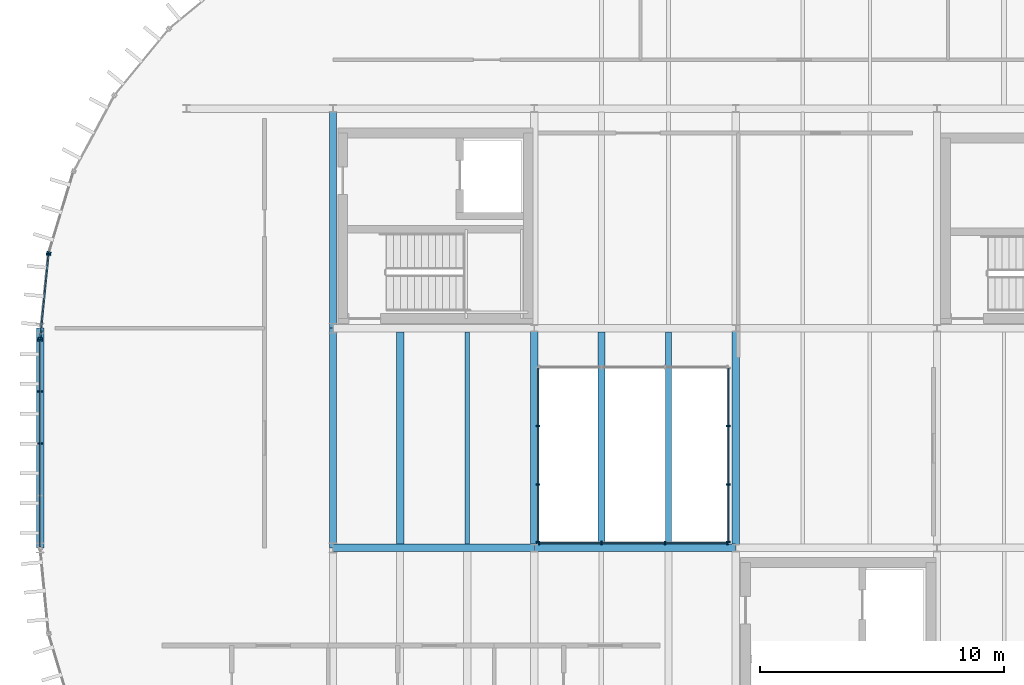
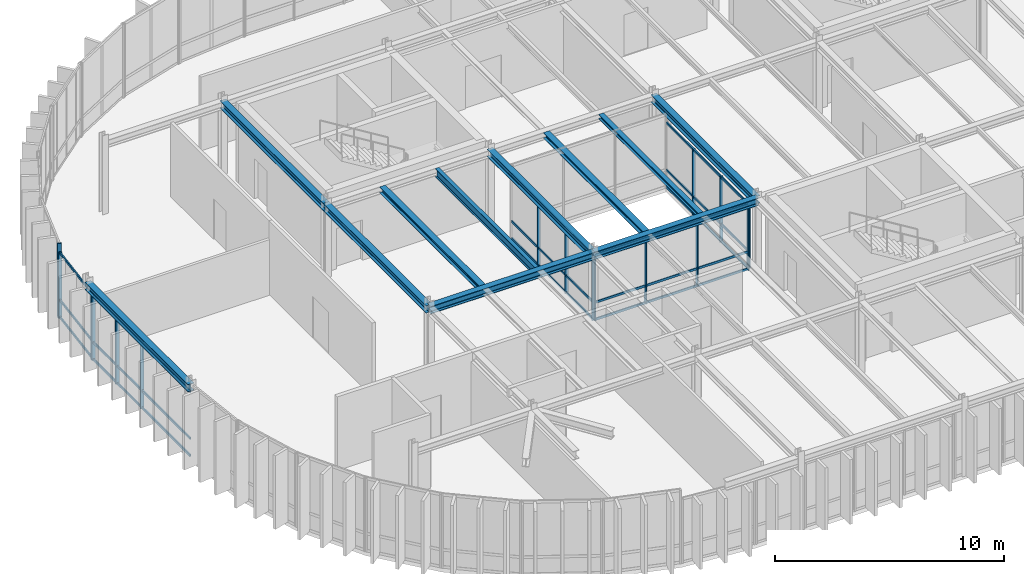
# One storey, part 7 of 27: 31 members, 11 beams, 6 elements without a shape of their own.
"""IFC4 building model written with IfcOpenShell, lengths in metres."""

from ifc_helpers import new_model, si_unit, direction, frame, origin, origin_2d, place, context, subcontext, project, spatial, rectangle, i_section, extrude, material, layer, layer_set, material_profile, profile_set, type_object, element, aggregate, save


model = new_model("IFC4")

# Units and contexts
model_context = context("Model", 3, precision=1e-05, world=origin(), true_north=direction((0.0, 1.0)))
body_context = subcontext(model_context, "Body", "Model", "MODEL_VIEW")
ifc_project = project(units=[si_unit("LENGTHUNIT", "METRE"), si_unit("AREAUNIT", "SQUARE_METRE"), si_unit("VOLUMEUNIT", "CUBIC_METRE"), si_unit("PLANEANGLEUNIT", "RADIAN"), si_unit("MASSUNIT", "GRAM", prefix="KILO")], contexts=[model_context])

# Site, building, storey
site_placement = place(None, origin())
site = spatial("IfcSite", under=ifc_project, at=site_placement, CompositionType="ELEMENT")
building_placement = place(site_placement, origin())
building = spatial("IfcBuilding", under=site, at=building_placement, Name="Montealbar Specialist Clinic", CompositionType="ELEMENT")
storey_placement = place(building_placement, frame((0.0, 0.0, 18.0)))
storey = spatial("IfcBuildingStorey", under=building, at=storey_placement, Name="L04", CompositionType="ELEMENT", Elevation=18.0)

# Beams
ifc_material_1 = material(Name="Steel S355", Category="steel")
ifc_material_profile_1 = material_profile(ifc_material_1, i_section(OverallWidth=0.300048828125, OverallDepth=0.39990234375, WebThickness=0.013427734375, FlangeThickness=0.02392578125, FilletRadius=0.027099609375, at=origin_2d()), Name="HEB 400", Category="steel")
ifc_profile_set_1 = profile_set([ifc_material_profile_1], Name="Steel S355")
beam_type_1 = type_object("IfcBeamType", Name="BM-GIRD-HEB400", PredefinedType="BEAM", material=ifc_profile_set_1)
beam_1_placement = place(storey_placement, frame((66.0, 18.0, 3.68994140625), z_axis=(1.0, 0.0, 0.0), x_axis=(0.0, 1.0, 0.0)))
element("IfcBeam", 1, at=beam_1_placement, inside=storey, type_object=beam_type_1, Name="Beam GX-L04-660-742-180", PredefinedType="BEAM", context=body_context, shape_type="SweptSolid", body=[
    extrude(i_section(OverallWidth=0.300048828125, OverallDepth=0.39990234375, WebThickness=0.013427734375, FlangeThickness=0.02392578125, FilletRadius=0.027099609375, at=origin_2d()), origin(), (0.0, 0.0, 1.0), 8.25),
])
for number, where, z_axis, x_axis, name in (
    (2, (54.0, 18.0, 3.68994140625), (0.0, 1.0, 0.0), (-1.0, 0.0, 0.0), "Beam GY-L04-540-180-270"),
    (3, (66.0, 18.0, 3.68994140625), (0.0, 1.0, 0.0), (-1.0, 0.0, 0.0), "Beam GY-L04-660-180-270"),
    (4, (66.0, 27.0, 3.68994140625), (0.0, 1.0, 0.0), (-1.0, 0.0, 0.0), "Beam GY-L04-660-270-360"),
):
    element("IfcBeam", number, at=place(storey_placement, frame(where, z_axis=z_axis, x_axis=x_axis)), inside=storey, type_object=beam_type_1, Name=name, PredefinedType="BEAM", context=body_context, shape_type="SweptSolid", body=[
        extrude(i_section(OverallWidth=0.300048828125, OverallDepth=0.39990234375, WebThickness=0.013427734375, FlangeThickness=0.02392578125, FilletRadius=0.027099609375, at=origin_2d()), origin(), (0.0, 0.0, 1.0), 9.0),
    ])
ifc_material_profile_2 = material_profile(ifc_material_1, i_section(OverallWidth=0.300048828125, OverallDepth=0.39990234375, WebThickness=0.013427734375, FlangeThickness=0.02392578125, FilletRadius=0.027099609375, at=origin_2d()), Name="HEB 400", Category="steel")
ifc_profile_set_2 = profile_set([ifc_material_profile_2], Name="Steel S355")
beam_type_2 = type_object("IfcBeamType", Name="BM-GIRD-HEB400-EXT", PredefinedType="BEAM", material=ifc_profile_set_2)
beam_2_placement = place(storey_placement, frame((74.25, 18.0, 3.68994140625), z_axis=(1.0, 0.0, 0.0), x_axis=(0.0, 1.0, 0.0)))
element("IfcBeam", 5, at=beam_2_placement, inside=storey, type_object=beam_type_2, Name="Beam GX-L04-742-825-180", PredefinedType="BEAM", context=body_context, shape_type="SweptSolid", body=[
    extrude(i_section(OverallWidth=0.300048828125, OverallDepth=0.39990234375, WebThickness=0.013427734375, FlangeThickness=0.02392578125, FilletRadius=0.027099609375, at=origin_2d()), origin(), (0.0, 0.0, 1.0), 8.25),
])
for number, where, z_axis, x_axis, name in (
    (6, (74.25, 18.0, 3.68994140625), (0.0, 1.0, 0.0), (-1.0, 0.0, 0.0), "Beam GY-L04-742-180-270"),
    (7, (82.5, 18.0, 3.68994140625), (0.0, 1.0, 0.0), (-1.0, 0.0, 0.0), "Beam GY-L04-825-180-270"),
):
    element("IfcBeam", number, at=place(storey_placement, frame(where, z_axis=z_axis, x_axis=x_axis)), inside=storey, type_object=beam_type_2, Name=name, PredefinedType="BEAM", context=body_context, shape_type="SweptSolid", body=[
        extrude(i_section(OverallWidth=0.300048828125, OverallDepth=0.39990234375, WebThickness=0.013427734375, FlangeThickness=0.02392578125, FilletRadius=0.027099609375, at=origin_2d()), origin(), (0.0, 0.0, 1.0), 9.0),
    ])
ifc_material_profile_3 = material_profile(ifc_material_1, i_section(OverallWidth=0.300048828125, OverallDepth=0.320068359375, WebThickness=0.011474609375, FlangeThickness=0.0205078125, FilletRadius=0.027099609375, at=origin_2d()), Name="HEB 320", Category="steel")
ifc_profile_set_3 = profile_set([ifc_material_profile_3], Name="Steel S355")
beam_type_3 = type_object("IfcBeamType", Name="BM-JST-HEB320", PredefinedType="JOIST", material=ifc_profile_set_3)
beam_3_placement = place(storey_placement, frame((68.75, 18.14990234375, 3.72998046875), z_axis=(0.0, 1.0, 0.0), x_axis=(-1.0, 0.0, 0.0)))
element("IfcBeam", 8, at=beam_3_placement, inside=storey, type_object=beam_type_3, Name="Beam JST-L04-688-182-268", PredefinedType="JOIST", context=body_context, shape_type="SweptSolid", body=[
    extrude(i_section(OverallWidth=0.300048828125, OverallDepth=0.320068359375, WebThickness=0.011474609375, FlangeThickness=0.0205078125, FilletRadius=0.027099609375, at=origin_2d()), origin(), (0.0, 0.0, 1.0), 8.7001953125),
])
ifc_material_profile_4 = material_profile(ifc_material_1, i_section(OverallWidth=0.18994140625, OverallDepth=0.449951171875, WebThickness=0.009521484375, FlangeThickness=0.0146484375, FilletRadius=0.02099609375, at=origin_2d()), Name="IPE 450", Category="steel")
ifc_profile_set_4 = profile_set([ifc_material_profile_4], Name="Steel S355")
beam_type_4 = type_object("IfcBeamType", Name="BM-SEC-IPE450", PredefinedType="BEAM", material=ifc_profile_set_4)
beam_4_placement = place(storey_placement, frame((71.5, 18.14990234375, 3.6650390625), z_axis=(0.0, 1.0, 0.0), x_axis=(-1.0, 0.0, 0.0)))
element("IfcBeam", 9, at=beam_4_placement, inside=storey, type_object=beam_type_4, Name="Beam JST-L04-715-182-268", PredefinedType="BEAM", context=body_context, shape_type="SweptSolid", body=[
    extrude(i_section(OverallWidth=0.18994140625, OverallDepth=0.449951171875, WebThickness=0.009521484375, FlangeThickness=0.0146484375, FilletRadius=0.02099609375, at=origin_2d()), origin(), (0.0, 0.0, 1.0), 8.7001953125),
])
ifc_material_profile_5 = material_profile(ifc_material_1, i_section(OverallWidth=0.239990234375, OverallDepth=0.22998046875, WebThickness=0.007568359375, FlangeThickness=0.011962890625, FilletRadius=0.02099609375, at=origin_2d()), Name="HEA 240", Category="steel")
ifc_profile_set_5 = profile_set([ifc_material_profile_5], Name="Steel S355")
beam_type_5 = type_object("IfcBeamType", Name="BM-SPAND-HEA240", PredefinedType="SPANDREL", material=ifc_profile_set_5)
beam_5_placement = place(storey_placement, frame((79.75, 18.14990234375, 3.77490234375), z_axis=(0.0, 1.0, 0.0), x_axis=(-1.0, 0.0, 0.0)))
element("IfcBeam", 10, at=beam_5_placement, inside=storey, type_object=beam_type_5, Name="Beam JST-L04-798-182-268", PredefinedType="SPANDREL", context=body_context, shape_type="SweptSolid", body=[
    extrude(i_section(OverallWidth=0.239990234375, OverallDepth=0.22998046875, WebThickness=0.007568359375, FlangeThickness=0.011962890625, FilletRadius=0.02099609375, at=origin_2d()), origin(), (0.0, 0.0, 1.0), 8.7001953125),
])
ifc_material_profile_6 = material_profile(ifc_material_1, i_section(OverallWidth=0.300048828125, OverallDepth=0.2900390625, WebThickness=0.008544921875, FlangeThickness=0.013916015625, FilletRadius=0.027099609375, at=origin_2d()), Name="HEA 300", Category="steel")
ifc_profile_set_6 = profile_set([ifc_material_profile_6], Name="Steel S355")
beam_type_6 = type_object("IfcBeamType", Name="BM-SPAND-HEA300", PredefinedType="SPANDREL", material=ifc_profile_set_6)
beam_6_placement = place(storey_placement, frame((77.0, 18.14990234375, 3.7451171875), z_axis=(0.0, 1.0, 0.0), x_axis=(-1.0, 0.0, 0.0)))
element("IfcBeam", 11, at=beam_6_placement, inside=storey, type_object=beam_type_6, Name="Beam JST-L04-770-182-268", PredefinedType="SPANDREL", context=body_context, shape_type="SweptSolid", body=[
    extrude(i_section(OverallWidth=0.300048828125, OverallDepth=0.2900390625, WebThickness=0.008544921875, FlangeThickness=0.013916015625, FilletRadius=0.027099609375, at=origin_2d()), origin(), (0.0, 0.0, 1.0), 8.7001953125),
])

# Curtain wall, members
ifc_material_2 = material(Name="Low-E double glazing", Category="glass")
ifc_layer_1 = layer(ifc_material_2, 0.199951171875, Name="Low-E double glazing", Category="glass")
ifc_layer_set_1 = layer_set([ifc_layer_1], Name="Low-E double glazing")
curtain_wall_type_1 = type_object("IfcCurtainWallType", Name="CW-TYPE-34", PredefinedType="NOTDEFINED", material=ifc_layer_set_1)
curtain_wall_1_placement = place(storey_placement, origin())
curtain_wall_1 = element("IfcCurtainWall", 12, at=curtain_wall_1_placement, inside=storey, type_object=curtain_wall_type_1, Name="Unitised Curtain Wall CW-L04-744-182-822-182-180", PredefinedType="NOTDEFINED")
ifc_material_3 = material(Name="Anodised aluminium EN AW-6063", Category="aluminium")
ifc_material_profile_7 = material_profile(ifc_material_3, rectangle(XDim=0.06005859375, YDim=0.159912109375, at=origin_2d()), Name="ALU 60x160", Category="aluminium")
ifc_profile_set_7 = profile_set([ifc_material_profile_7], Name="Anodised aluminium EN AW-6063")
member_type_1 = type_object("IfcMemberType", Name="CW-MUL-160", PredefinedType="MULLION", material=ifc_profile_set_7)
member_1_placement = place(storey_placement, frame((74.43505859375, 18.199951171875, 0.0), z_axis=(0.0, 0.0, 1.0), x_axis=(1.0, 0.0, 0.0)))
member_1 = element("IfcMember", 13, at=member_1_placement, type_object=member_type_1, Name="Curtain Wall Mullion CW-L04-744-182-822-182-180-00", PredefinedType="MULLION", context=body_context, shape_type="SweptSolid", body=[
    extrude(rectangle(XDim=0.06005859375, YDim=0.159912109375, at=origin_2d()), origin(), (0.0, 0.0, 1.0), 3.489990234375),
])
member_2_placement = place(storey_placement, frame((77.0, 18.199951171875, 0.0), z_axis=(0.0, 0.0, 1.0), x_axis=(1.0, 0.0, 0.0)))
member_2 = element("IfcMember", 14, at=member_2_placement, type_object=member_type_1, Name="Curtain Wall Mullion CW-L04-744-182-822-182-180-01", PredefinedType="MULLION", context=body_context, shape_type="SweptSolid", body=[
    extrude(rectangle(XDim=0.06005859375, YDim=0.159912109375, at=origin_2d()), origin(), (0.0, 0.0, 1.0), 3.489990234375),
])
member_3_placement = place(storey_placement, frame((79.60009765625, 18.199951171875, 0.0), z_axis=(0.0, 0.0, 1.0), x_axis=(1.0, 0.0, 0.0)))
member_3 = element("IfcMember", 15, at=member_3_placement, type_object=member_type_1, Name="Curtain Wall Mullion CW-L04-744-182-822-182-180-02", PredefinedType="MULLION", context=body_context, shape_type="SweptSolid", body=[
    extrude(rectangle(XDim=0.06005859375, YDim=0.159912109375, at=origin_2d()), origin(), (0.0, 0.0, 1.0), 3.489990234375),
])
member_4_placement = place(storey_placement, frame((82.1650390625, 18.199951171875, 0.0), z_axis=(0.0, 0.0, 1.0), x_axis=(1.0, 0.0, 0.0)))
member_4 = element("IfcMember", 16, at=member_4_placement, type_object=member_type_1, Name="Curtain Wall Mullion CW-L04-744-182-822-182-180-03", PredefinedType="MULLION", context=body_context, shape_type="SweptSolid", body=[
    extrude(rectangle(XDim=0.06005859375, YDim=0.159912109375, at=origin_2d()), origin(), (0.0, 0.0, 1.0), 3.489990234375),
])

ifc_layer_2 = layer(ifc_material_2, 0.199951171875, Name="Low-E double glazing", Category="glass")
ifc_layer_set_2 = layer_set([ifc_layer_2], Name="Low-E double glazing")
curtain_wall_type_2 = type_object("IfcCurtainWallType", Name="CW-TYPE-35", PredefinedType="NOTDEFINED", material=ifc_layer_set_2)
curtain_wall_2_placement = place(storey_placement, origin())
curtain_wall_2 = element("IfcCurtainWall", 17, at=curtain_wall_2_placement, inside=storey, type_object=curtain_wall_type_2, Name="Unitised Curtain Wall CW-L04-822-182-822-254-180", PredefinedType="NOTDEFINED")
member_5_placement = place(storey_placement, frame((82.199951171875, 18.235107421875, 0.0), z_axis=(0.0, 0.0, 1.0), x_axis=(0.0, 1.0, 0.0)))
member_5 = element("IfcMember", 18, at=member_5_placement, type_object=member_type_1, Name="Curtain Wall Mullion CW-L04-822-182-822-254-180-00", PredefinedType="MULLION", context=body_context, shape_type="SweptSolid", body=[
    extrude(rectangle(XDim=0.06005859375, YDim=0.159912109375, at=origin_2d()), origin(), (0.0, 0.0, 1.0), 3.489990234375),
])
member_6_placement = place(storey_placement, frame((82.199951171875, 20.60009765625, 0.0), z_axis=(0.0, 0.0, 1.0), x_axis=(0.0, 1.0, 0.0)))
member_6 = element("IfcMember", 19, at=member_6_placement, type_object=member_type_1, Name="Curtain Wall Mullion CW-L04-822-182-822-254-180-01", PredefinedType="MULLION", context=body_context, shape_type="SweptSolid", body=[
    extrude(rectangle(XDim=0.06005859375, YDim=0.159912109375, at=origin_2d()), origin(), (0.0, 0.0, 1.0), 3.489990234375),
])
member_7_placement = place(storey_placement, frame((82.199951171875, 23.0, 0.0), z_axis=(0.0, 0.0, 1.0), x_axis=(0.0, 1.0, 0.0)))
member_7 = element("IfcMember", 20, at=member_7_placement, type_object=member_type_1, Name="Curtain Wall Mullion CW-L04-822-182-822-254-180-02", PredefinedType="MULLION", context=body_context, shape_type="SweptSolid", body=[
    extrude(rectangle(XDim=0.06005859375, YDim=0.159912109375, at=origin_2d()), origin(), (0.0, 0.0, 1.0), 3.489990234375),
])

curtain_wall_3_placement = place(storey_placement, origin())
curtain_wall_3 = element("IfcCurtainWall", 21, at=curtain_wall_3_placement, inside=storey, type_object=curtain_wall_type_2, Name="Unitised Curtain Wall CW-L04-744-254-744-182-180", PredefinedType="NOTDEFINED")
member_8_placement = place(storey_placement, frame((74.39990234375, 23.0, 0.0), z_axis=(0.0, 0.0, 1.0), x_axis=(0.0, -1.0, 0.0)))
member_8 = element("IfcMember", 22, at=member_8_placement, type_object=member_type_1, Name="Curtain Wall Mullion CW-L04-744-254-744-182-180-01", PredefinedType="MULLION", context=body_context, shape_type="SweptSolid", body=[
    extrude(rectangle(XDim=0.06005859375, YDim=0.159912109375, at=origin_2d()), origin(), (0.0, 0.0, 1.0), 3.489990234375),
])
member_9_placement = place(storey_placement, frame((74.39990234375, 20.60009765625, 0.0), z_axis=(0.0, 0.0, 1.0), x_axis=(0.0, -1.0, 0.0)))
member_9 = element("IfcMember", 23, at=member_9_placement, type_object=member_type_1, Name="Curtain Wall Mullion CW-L04-744-254-744-182-180-02", PredefinedType="MULLION", context=body_context, shape_type="SweptSolid", body=[
    extrude(rectangle(XDim=0.06005859375, YDim=0.159912109375, at=origin_2d()), origin(), (0.0, 0.0, 1.0), 3.489990234375),
])
member_10_placement = place(storey_placement, frame((74.39990234375, 18.235107421875, 0.0), z_axis=(0.0, 0.0, 1.0), x_axis=(0.0, -1.0, 0.0)))
member_10 = element("IfcMember", 24, at=member_10_placement, type_object=member_type_1, Name="Curtain Wall Mullion CW-L04-744-254-744-182-180-03", PredefinedType="MULLION", context=body_context, shape_type="SweptSolid", body=[
    extrude(rectangle(XDim=0.06005859375, YDim=0.159912109375, at=origin_2d()), origin(), (0.0, 0.0, 1.0), 3.489990234375),
])

ifc_layer_3 = layer(ifc_material_2, 0.199951171875, Name="Low-E double glazing", Category="glass")
ifc_layer_set_3 = layer_set([ifc_layer_3], Name="Low-E double glazing")
curtain_wall_type_3 = type_object("IfcCurtainWallType", Name="CW-TYPE-27", PredefinedType="NOTDEFINED", material=ifc_layer_set_3)
curtain_wall_4_placement = place(storey_placement, origin())
curtain_wall_4 = element("IfcCurtainWall", 25, at=curtain_wall_4_placement, inside=storey, type_object=curtain_wall_type_3, Name="Unitised Curtain Wall CW-L04-540-180-540-266-180", PredefinedType="NOTDEFINED")
ifc_material_profile_8 = material_profile(ifc_material_3, rectangle(XDim=0.070068359375, YDim=0.179931640625, at=origin_2d()), Name="ALU 70x180", Category="aluminium")
ifc_profile_set_8 = profile_set([ifc_material_profile_8], Name="Anodised aluminium EN AW-6063")
member_type_2 = type_object("IfcMemberType", Name="CW-MUL-200", PredefinedType="MULLION", material=ifc_profile_set_8)
member_11_placement = place(storey_placement, frame((54.0, 22.27490234375, 0.0), z_axis=(0.0, 0.0, 1.0), x_axis=(0.0, 1.0, 0.0)))
member_11 = element("IfcMember", 26, at=member_11_placement, type_object=member_type_2, Name="Curtain Wall Mullion CW-L04-540-180-540-266-180-02", PredefinedType="MULLION", context=body_context, shape_type="SweptSolid", body=[
    extrude(rectangle(XDim=0.070068359375, YDim=0.179931640625, at=origin_2d()), origin(), (0.0, 0.0, 1.0), 3.489990234375),
])
member_12_placement = place(storey_placement, frame((54.0, 24.4130859375, 0.0), z_axis=(0.0, 0.0, 1.0), x_axis=(0.0, 1.0, 0.0)))
member_12 = element("IfcMember", 27, at=member_12_placement, type_object=member_type_2, Name="Curtain Wall Mullion CW-L04-540-180-540-266-180-03", PredefinedType="MULLION", context=body_context, shape_type="SweptSolid", body=[
    extrude(rectangle(XDim=0.070068359375, YDim=0.179931640625, at=origin_2d()), origin(), (0.0, 0.0, 1.0), 3.489990234375),
])
member_13_placement = place(storey_placement, frame((54.0, 26.510009765625, 0.0), z_axis=(0.0, 0.0, 1.0), x_axis=(0.0, 1.0, 0.0)))
member_13 = element("IfcMember", 28, at=member_13_placement, type_object=member_type_2, Name="Curtain Wall Mullion CW-L04-540-180-540-266-180-04", PredefinedType="MULLION", context=body_context, shape_type="SweptSolid", body=[
    extrude(rectangle(XDim=0.070068359375, YDim=0.179931640625, at=origin_2d()), origin(), (0.0, 0.0, 1.0), 3.489990234375),
])

ifc_layer_4 = layer(ifc_material_2, 0.199951171875, Name="Low-E double glazing", Category="glass")
ifc_layer_set_4 = layer_set([ifc_layer_4], Name="Low-E double glazing")
curtain_wall_type_4 = type_object("IfcCurtainWallType", Name="CW-TYPE-28", PredefinedType="NOTDEFINED", material=ifc_layer_set_4)
curtain_wall_5_placement = place(storey_placement, origin())
curtain_wall_5 = element("IfcCurtainWall", 29, at=curtain_wall_5_placement, inside=storey, type_object=curtain_wall_type_4, Name="Unitised Curtain Wall CW-L04-540-266-543-301-180", PredefinedType="NOTDEFINED")
member_14_placement = place(storey_placement, frame((54.00390625, 26.590087890625, 0.0), z_axis=(0.0, 0.0, 1.0), x_axis=(0.098044697094, 0.995182012183, 0.0)))
member_14 = element("IfcMember", 30, at=member_14_placement, type_object=member_type_2, Name="Curtain Wall Mullion CW-L04-540-266-543-301-180-00", PredefinedType="MULLION", context=body_context, shape_type="SweptSolid", body=[
    extrude(rectangle(XDim=0.070068359375, YDim=0.179931640625, at=origin_2d()), origin(), (0.0, 0.0, 1.0), 3.489990234375),
])
member_15_placement = place(storey_placement, frame((54.342041015625, 30.02197265625, 0.0), z_axis=(0.0, 0.0, 1.0), x_axis=(0.098044697094, 0.995182012183, 0.0)))
member_15 = element("IfcMember", 31, at=member_15_placement, type_object=member_type_2, Name="Curtain Wall Mullion CW-L04-540-266-543-301-180-01", PredefinedType="MULLION", context=body_context, shape_type="SweptSolid", body=[
    extrude(rectangle(XDim=0.070068359375, YDim=0.179931640625, at=origin_2d()), origin(), (0.0, 0.0, 1.0), 3.489990234375),
])

# Curtain wall, member
ifc_layer_5 = layer(ifc_material_2, 0.199951171875, Name="Low-E double glazing", Category="glass")
ifc_layer_set_5 = layer_set([ifc_layer_5], Name="Low-E double glazing")
curtain_wall_type_5 = type_object("IfcCurtainWallType", Name="CW-TYPE-29", PredefinedType="NOTDEFINED", material=ifc_layer_set_5)
curtain_wall_6_placement = place(storey_placement, origin())
curtain_wall_6 = element("IfcCurtainWall", 32, at=curtain_wall_6_placement, inside=storey, type_object=curtain_wall_type_5, Name="Unitised Curtain Wall CW-L04-543-301-554-334-180", PredefinedType="NOTDEFINED")
member_16_placement = place(storey_placement, frame((54.35791015625, 30.10009765625, 0.0), z_axis=(0.0, 0.0, 1.0), x_axis=(0.290259134399, 0.956948083701, 0.0)))
member_16 = element("IfcMember", 33, at=member_16_placement, type_object=member_type_2, Name="Curtain Wall Mullion CW-L04-543-301-554-334-180-00", PredefinedType="MULLION", context=body_context, shape_type="SweptSolid", body=[
    extrude(rectangle(XDim=0.070068359375, YDim=0.179931640625, at=origin_2d()), origin(), (0.0, 0.0, 1.0), 3.919921875),
])
aggregate(curtain_wall_6, [member_16])

# Member
ifc_material_4 = material(Name="Powder-coated aluminium", Category="aluminium")
ifc_material_profile_9 = material_profile(ifc_material_4, rectangle(XDim=0.06005859375, YDim=0.1201171875, at=origin_2d()), Name="ALU 60x120", Category="aluminium")
ifc_profile_set_9 = profile_set([ifc_material_profile_9], Name="Powder-coated aluminium")
member_type_3 = type_object("IfcMemberType", Name="CW-TRN-120", PredefinedType="USERDEFINED", material=ifc_profile_set_9)
member_17_placement = place(storey_placement, frame((54.0, 18.050048828125, 0.0400390625), z_axis=(0.0, 1.0, 0.0), x_axis=(-1.0, 0.0, 0.0)))
member_17 = element("IfcMember", 34, at=member_17_placement, type_object=member_type_3, Name="Curtain Wall Transom CW-L04-540-180-540-266-180-00", ObjectType="TRANSOM", PredefinedType="USERDEFINED", context=body_context, shape_type="SweptSolid", body=[
    extrude(rectangle(XDim=0.06005859375, YDim=0.1201171875, at=origin_2d()), origin(), (0.0, 0.0, 1.0), 8.449951171875),
])

member_18_placement = place(storey_placement, frame((54.0, 18.050048828125, 0.949951171875), z_axis=(0.0, 1.0, 0.0), x_axis=(-1.0, 0.0, 0.0)))
member_18 = element("IfcMember", 35, at=member_18_placement, type_object=member_type_3, Name="Curtain Wall Transom CW-L04-540-180-540-266-180-01", ObjectType="TRANSOM", PredefinedType="USERDEFINED", context=body_context, shape_type="SweptSolid", body=[
    extrude(rectangle(XDim=0.06005859375, YDim=0.1201171875, at=origin_2d()), origin(), (0.0, 0.0, 1.0), 8.449951171875),
])

member_19_placement = place(storey_placement, frame((54.0, 18.050048828125, 3.449951171875), z_axis=(0.0, 1.0, 0.0), x_axis=(-1.0, 0.0, 0.0)))
member_19 = element("IfcMember", 36, at=member_19_placement, type_object=member_type_3, Name="Curtain Wall Transom CW-L04-540-180-540-266-180-02", ObjectType="TRANSOM", PredefinedType="USERDEFINED", context=body_context, shape_type="SweptSolid", body=[
    extrude(rectangle(XDim=0.06005859375, YDim=0.1201171875, at=origin_2d()), origin(), (0.0, 0.0, 1.0), 8.449951171875),
])

aggregate(curtain_wall_4, [member_11, member_12, member_13, member_17, member_18, member_19])

member_20_placement = place(storey_placement, frame((54.0048828125, 26.60009765625, 0.0400390625), z_axis=(0.098058232162, 0.995180678623, 0.0), x_axis=(-0.995180678623, 0.098058232162, 0.0)))
member_20 = element("IfcMember", 37, at=member_20_placement, type_object=member_type_3, Name="Curtain Wall Transom CW-L04-540-266-543-301-180-00", ObjectType="TRANSOM", PredefinedType="USERDEFINED", context=body_context, shape_type="SweptSolid", body=[
    extrude(rectangle(XDim=0.06005859375, YDim=0.1201171875, at=origin_2d()), origin(), (0.0, 0.0, 1.0), 3.428466796875),
])

member_21_placement = place(storey_placement, frame((54.0048828125, 26.60009765625, 0.949951171875), z_axis=(0.098058232162, 0.995180678623, 0.0), x_axis=(-0.995180678623, 0.098058232162, 0.0)))
member_21 = element("IfcMember", 38, at=member_21_placement, type_object=member_type_3, Name="Curtain Wall Transom CW-L04-540-266-543-301-180-01", ObjectType="TRANSOM", PredefinedType="USERDEFINED", context=body_context, shape_type="SweptSolid", body=[
    extrude(rectangle(XDim=0.06005859375, YDim=0.1201171875, at=origin_2d()), origin(), (0.0, 0.0, 1.0), 3.428466796875),
])

member_22_placement = place(storey_placement, frame((54.0048828125, 26.60009765625, 3.449951171875), z_axis=(0.098058232162, 0.995180678623, 0.0), x_axis=(-0.995180678623, 0.098058232162, 0.0)))
member_22 = element("IfcMember", 39, at=member_22_placement, type_object=member_type_3, Name="Curtain Wall Transom CW-L04-540-266-543-301-180-02", ObjectType="TRANSOM", PredefinedType="USERDEFINED", context=body_context, shape_type="SweptSolid", body=[
    extrude(rectangle(XDim=0.06005859375, YDim=0.1201171875, at=origin_2d()), origin(), (0.0, 0.0, 1.0), 3.428466796875),
])

aggregate(curtain_wall_5, [member_14, member_15, member_20, member_21, member_22])

member_23_placement = place(storey_placement, frame((74.449951171875, 18.199951171875, 0.0400390625), z_axis=(1.0, 0.0, 0.0), x_axis=(0.0, 1.0, 0.0)))
member_23 = element("IfcMember", 40, at=member_23_placement, type_object=member_type_3, Name="Curtain Wall Transom CW-L04-744-182-822-182-180-00", ObjectType="TRANSOM", PredefinedType="USERDEFINED", context=body_context, shape_type="SweptSolid", body=[
    extrude(rectangle(XDim=0.06005859375, YDim=0.1201171875, at=origin_2d()), origin(), (0.0, 0.0, 1.0), 7.699951171875),
])

member_24_placement = place(storey_placement, frame((74.449951171875, 18.199951171875, 0.949951171875), z_axis=(1.0, 0.0, 0.0), x_axis=(0.0, 1.0, 0.0)))
member_24 = element("IfcMember", 41, at=member_24_placement, type_object=member_type_3, Name="Curtain Wall Transom CW-L04-744-182-822-182-180-01", ObjectType="TRANSOM", PredefinedType="USERDEFINED", context=body_context, shape_type="SweptSolid", body=[
    extrude(rectangle(XDim=0.06005859375, YDim=0.1201171875, at=origin_2d()), origin(), (0.0, 0.0, 1.0), 7.699951171875),
])

member_25_placement = place(storey_placement, frame((74.449951171875, 18.199951171875, 3.449951171875), z_axis=(1.0, 0.0, 0.0), x_axis=(0.0, 1.0, 0.0)))
member_25 = element("IfcMember", 42, at=member_25_placement, type_object=member_type_3, Name="Curtain Wall Transom CW-L04-744-182-822-182-180-02", ObjectType="TRANSOM", PredefinedType="USERDEFINED", context=body_context, shape_type="SweptSolid", body=[
    extrude(rectangle(XDim=0.06005859375, YDim=0.1201171875, at=origin_2d()), origin(), (0.0, 0.0, 1.0), 7.699951171875),
])

aggregate(curtain_wall_1, [member_1, member_2, member_3, member_4, member_23, member_24, member_25])

member_26_placement = place(storey_placement, frame((82.199951171875, 18.25, 0.0400390625), z_axis=(0.0, 1.0, 0.0), x_axis=(-1.0, 0.0, 0.0)))
member_26 = element("IfcMember", 43, at=member_26_placement, type_object=member_type_3, Name="Curtain Wall Transom CW-L04-822-182-822-254-180-00", ObjectType="TRANSOM", PredefinedType="USERDEFINED", context=body_context, shape_type="SweptSolid", body=[
    extrude(rectangle(XDim=0.06005859375, YDim=0.1201171875, at=origin_2d()), origin(), (0.0, 0.0, 1.0), 7.10009765625),
])

member_27_placement = place(storey_placement, frame((82.199951171875, 18.25, 0.949951171875), z_axis=(0.0, 1.0, 0.0), x_axis=(-1.0, 0.0, 0.0)))
member_27 = element("IfcMember", 44, at=member_27_placement, type_object=member_type_3, Name="Curtain Wall Transom CW-L04-822-182-822-254-180-01", ObjectType="TRANSOM", PredefinedType="USERDEFINED", context=body_context, shape_type="SweptSolid", body=[
    extrude(rectangle(XDim=0.06005859375, YDim=0.1201171875, at=origin_2d()), origin(), (0.0, 0.0, 1.0), 7.10009765625),
])

member_28_placement = place(storey_placement, frame((82.199951171875, 18.25, 3.449951171875), z_axis=(0.0, 1.0, 0.0), x_axis=(-1.0, 0.0, 0.0)))
member_28 = element("IfcMember", 45, at=member_28_placement, type_object=member_type_3, Name="Curtain Wall Transom CW-L04-822-182-822-254-180-02", ObjectType="TRANSOM", PredefinedType="USERDEFINED", context=body_context, shape_type="SweptSolid", body=[
    extrude(rectangle(XDim=0.06005859375, YDim=0.1201171875, at=origin_2d()), origin(), (0.0, 0.0, 1.0), 7.10009765625),
])

aggregate(curtain_wall_2, [member_5, member_6, member_7, member_26, member_27, member_28])

member_29_placement = place(storey_placement, frame((74.39990234375, 25.35009765625, 0.0400390625), z_axis=(0.0, -1.0, 0.0), x_axis=(1.0, 0.0, 0.0)))
member_29 = element("IfcMember", 46, at=member_29_placement, type_object=member_type_3, Name="Curtain Wall Transom CW-L04-744-254-744-182-180-00", ObjectType="TRANSOM", PredefinedType="USERDEFINED", context=body_context, shape_type="SweptSolid", body=[
    extrude(rectangle(XDim=0.06005859375, YDim=0.1201171875, at=origin_2d()), origin(), (0.0, 0.0, 1.0), 7.10009765625),
])

member_30_placement = place(storey_placement, frame((74.39990234375, 25.35009765625, 0.949951171875), z_axis=(0.0, -1.0, 0.0), x_axis=(1.0, 0.0, 0.0)))
member_30 = element("IfcMember", 47, at=member_30_placement, type_object=member_type_3, Name="Curtain Wall Transom CW-L04-744-254-744-182-180-01", ObjectType="TRANSOM", PredefinedType="USERDEFINED", context=body_context, shape_type="SweptSolid", body=[
    extrude(rectangle(XDim=0.06005859375, YDim=0.1201171875, at=origin_2d()), origin(), (0.0, 0.0, 1.0), 7.10009765625),
])

member_31_placement = place(storey_placement, frame((74.39990234375, 25.35009765625, 3.449951171875), z_axis=(0.0, -1.0, 0.0), x_axis=(1.0, 0.0, 0.0)))
member_31 = element("IfcMember", 48, at=member_31_placement, type_object=member_type_3, Name="Curtain Wall Transom CW-L04-744-254-744-182-180-02", ObjectType="TRANSOM", PredefinedType="USERDEFINED", context=body_context, shape_type="SweptSolid", body=[
    extrude(rectangle(XDim=0.06005859375, YDim=0.1201171875, at=origin_2d()), origin(), (0.0, 0.0, 1.0), 7.10009765625),
])

aggregate(curtain_wall_3, [member_8, member_9, member_10, member_29, member_30, member_31])

save(model, "model.ifc")
